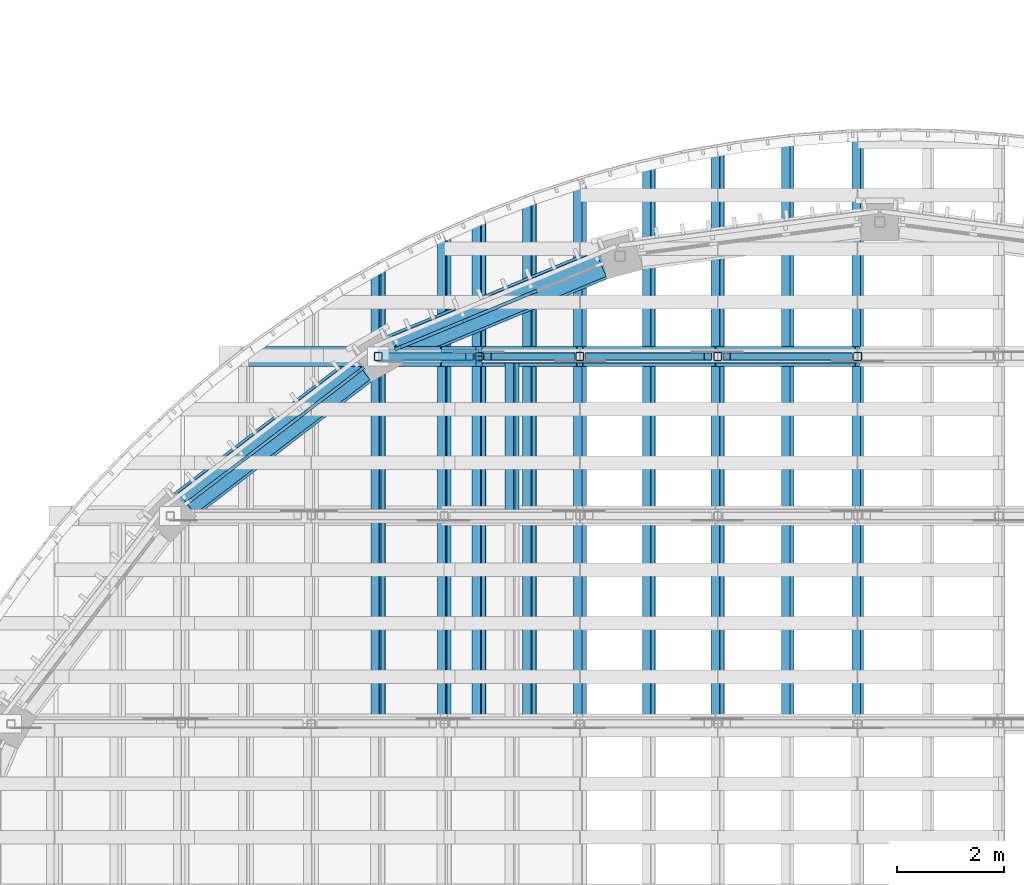
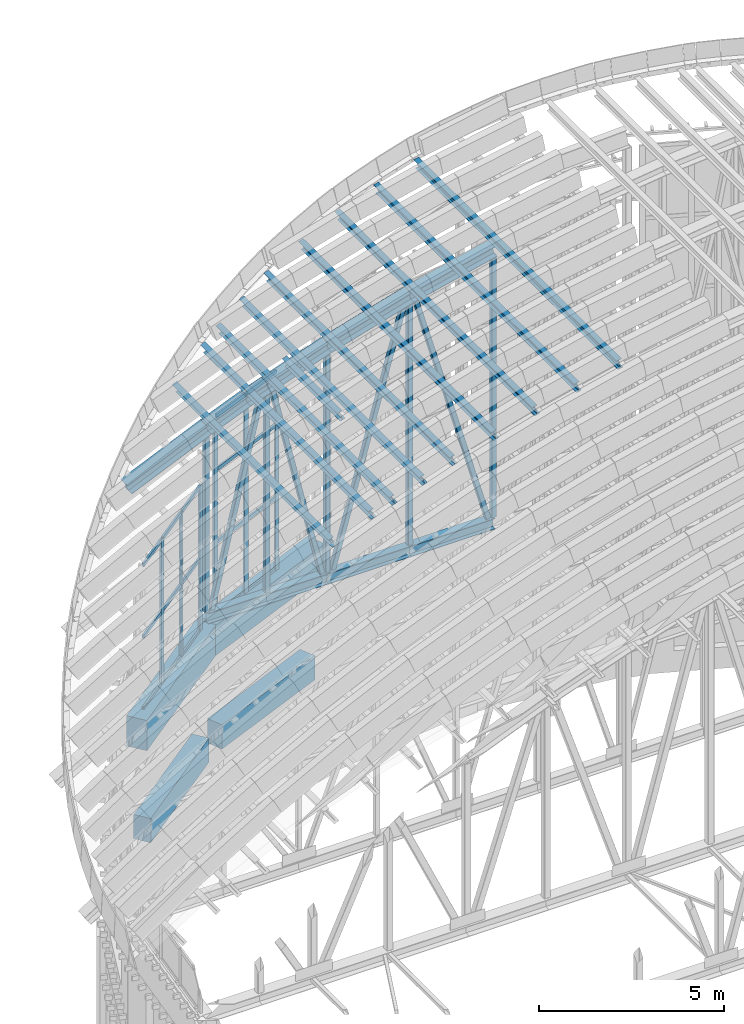
# One storey, part 32 of 105: 52 members, 4 beams, 2 elements without a shape of their own.
"""IFC4 building model written with IfcOpenShell, lengths in metres."""

from ifc_helpers import new_model, si_unit, direction, frame, origin, origin_2d, place, context, subcontext, project, spatial, rectangle, hollow_rectangle, i_section, extrude, material, layer, layer_set, material_profile, profile_set, type_object, element, aggregate, save


model = new_model("IFC4")

# Units and contexts
model_context = context("Model", 3, precision=1e-05, world=origin(), true_north=direction((0.0, 1.0)))
body_context = subcontext(model_context, "Body", "Model", "MODEL_VIEW")
ifc_project = project(units=[si_unit("LENGTHUNIT", "METRE"), si_unit("AREAUNIT", "SQUARE_METRE"), si_unit("VOLUMEUNIT", "CUBIC_METRE"), si_unit("PLANEANGLEUNIT", "RADIAN"), si_unit("MASSUNIT", "GRAM", prefix="KILO")], contexts=[model_context])

# Site, building, storey
site_placement = place(None, origin())
site = spatial("IfcSite", under=ifc_project, at=site_placement, CompositionType="ELEMENT")
building_placement = place(site_placement, origin())
building = spatial("IfcBuilding", under=site, at=building_placement, Name="Wasatch Bagh Community Centre", CompositionType="ELEMENT")
storey_placement = place(building_placement, frame((0.0, 0.0, 16.800048828125)))
storey = spatial("IfcBuildingStorey", under=building, at=storey_placement, Name="L04", CompositionType="ELEMENT", Elevation=16.800048828125)

# Members
ifc_material_1 = material(Name="ASTM A500 Grade C steel", Category="steel")
ifc_material_profile_1 = material_profile(ifc_material_1, hollow_rectangle(XDim=0.15234375, YDim=0.15234375, WallThickness=0.0087890625, InnerFilletRadius=0.0087890625, OuterFilletRadius=0.017822265625, at=origin_2d()), Name="HSS6x6x3/8")
ifc_profile_set_1 = profile_set([ifc_material_profile_1], Name="ASTM A500 Grade C steel")
member_type_1 = type_object("IfcMemberType", Name="HSS6x6x3/8 brace", PredefinedType="BRACE", material=ifc_profile_set_1)
member_1_placement = place(storey_placement, frame((26.787841796875, 81.238037109375, 8.088623046875), z_axis=(0.231523294474, 0.0, 0.972829360225), x_axis=(0.0, 1.0, 0.0)))
element("IfcMember", 1, at=member_1_placement, inside=storey, type_object=member_type_1, Name="MH.TN4.WB01", PredefinedType="BRACE", context=body_context, shape_type="SweptSolid", body=[
    extrude(hollow_rectangle(XDim=0.15234375, YDim=0.15234375, WallThickness=0.0087890625, InnerFilletRadius=0.0087890625, OuterFilletRadius=0.017822265625, at=origin_2d()), origin(), (0.0, 0.0, 1.0), 6.676025390625),
])
member_2_placement = place(storey_placement, frame((30.23291015625, 81.238037109375, 8.08837890625), z_axis=(-0.228969594123, 0.0, 0.973433575015), x_axis=(0.0, -1.0, 0.0)))
element("IfcMember", 2, at=member_2_placement, inside=storey, type_object=member_type_1, Name="MH.TN4.WB02", PredefinedType="BRACE", context=body_context, shape_type="SweptSolid", body=[
    extrude(hollow_rectangle(XDim=0.15234375, YDim=0.15234375, WallThickness=0.0087890625, InnerFilletRadius=0.0087890625, OuterFilletRadius=0.017822265625, at=origin_2d()), origin(), (0.0, 0.0, 1.0), 6.829345703125),
])
member_3_placement = place(storey_placement, frame((30.5673828125, 81.238037109375, 8.091552734375), z_axis=(0.269835842543, 0.0, 0.962906339204), x_axis=(0.0, 1.0, 0.0)))
element("IfcMember", 3, at=member_3_placement, inside=storey, type_object=member_type_1, Name="MH.TN4.WB03", PredefinedType="BRACE", context=body_context, shape_type="SweptSolid", body=[
    extrude(hollow_rectangle(XDim=0.15234375, YDim=0.15234375, WallThickness=0.0087890625, InnerFilletRadius=0.0087890625, OuterFilletRadius=0.017822265625, at=origin_2d()), origin(), (0.0, 0.0, 1.0), 8.223388671875),
])
member_4_placement = place(storey_placement, frame((35.412353515625, 81.238037109375, 8.091796875), z_axis=(-0.271729705992, 0.0, 0.962373610861), x_axis=(0.0, -1.0, 0.0)))
element("IfcMember", 4, at=member_4_placement, inside=storey, type_object=member_type_1, Name="MH.TN4.WB04", PredefinedType="BRACE", context=body_context, shape_type="SweptSolid", body=[
    extrude(hollow_rectangle(XDim=0.15234375, YDim=0.15234375, WallThickness=0.0087890625, InnerFilletRadius=0.0087890625, OuterFilletRadius=0.017822265625, at=origin_2d()), origin(), (0.0, 0.0, 1.0), 8.368408203125),
])
ifc_material_profile_2 = material_profile(ifc_material_1, hollow_rectangle(XDim=0.15234375, YDim=0.15234375, WallThickness=0.0087890625, InnerFilletRadius=0.0087890625, OuterFilletRadius=0.017822265625, at=origin_2d()), Name="HSS6x6x3/8")
ifc_profile_set_2 = profile_set([ifc_material_profile_2], Name="ASTM A500 Grade C steel")
member_type_2 = type_object("IfcMemberType", Name="HSS6x6x3/8 post", PredefinedType="POST", material=ifc_profile_set_2)
member_5_placement = place(storey_placement, frame((26.625, 81.238037109375, 8.070556640625), z_axis=(0.0, 0.0, 1.0), x_axis=(1.0, 0.0, 0.0)))
element("IfcMember", 5, at=member_5_placement, inside=storey, type_object=member_type_2, Name="MH.TN4.PS01", PredefinedType="POST", context=body_context, shape_type="SweptSolid", body=[
    extrude(hollow_rectangle(XDim=0.15234375, YDim=0.15234375, WallThickness=0.0087890625, InnerFilletRadius=0.0087890625, OuterFilletRadius=0.017822265625, at=origin_2d()), origin(), (0.0, 0.0, 1.0), 5.843994140625),
])
member_6_placement = place(storey_placement, frame((28.510009765625, 81.238037109375, 8.070556640625), z_axis=(0.0, 0.0, 1.0), x_axis=(1.0, 0.0, 0.0)))
element("IfcMember", 6, at=member_6_placement, inside=storey, type_object=member_type_2, Name="MH.TN4.PS02", PredefinedType="POST", context=body_context, shape_type="SweptSolid", body=[
    extrude(hollow_rectangle(XDim=0.15234375, YDim=0.15234375, WallThickness=0.0087890625, InnerFilletRadius=0.0087890625, OuterFilletRadius=0.017822265625, at=origin_2d()), origin(), (0.0, 0.0, 1.0), 6.591552734375),
])
member_7_placement = place(storey_placement, frame((30.39501953125, 81.238037109375, 8.070556640625), z_axis=(0.0, 0.0, 1.0), x_axis=(1.0, 0.0, 0.0)))
element("IfcMember", 7, at=member_7_placement, inside=storey, type_object=member_type_2, Name="MH.TN4.PS03", PredefinedType="POST", context=body_context, shape_type="SweptSolid", body=[
    extrude(hollow_rectangle(XDim=0.15234375, YDim=0.15234375, WallThickness=0.0087890625, InnerFilletRadius=0.0087890625, OuterFilletRadius=0.017822265625, at=origin_2d()), origin(), (0.0, 0.0, 1.0), 7.251220703125),
])
member_8_placement = place(storey_placement, frame((32.972412109375, 81.238037109375, 8.070556640625), z_axis=(0.0, 0.0, 1.0), x_axis=(1.0, 0.0, 0.0)))
element("IfcMember", 8, at=member_8_placement, inside=storey, type_object=member_type_2, Name="MH.TN4.PS04", PredefinedType="POST", context=body_context, shape_type="SweptSolid", body=[
    extrude(hollow_rectangle(XDim=0.15234375, YDim=0.15234375, WallThickness=0.0087890625, InnerFilletRadius=0.0087890625, OuterFilletRadius=0.017822265625, at=origin_2d()), origin(), (0.0, 0.0, 1.0), 8.013671875),
])
member_9_placement = place(storey_placement, frame((35.585205078125, 81.238037109375, 8.070556640625), z_axis=(0.0, 0.0, 1.0), x_axis=(1.0, 0.0, 0.0)))
element("IfcMember", 9, at=member_9_placement, inside=storey, type_object=member_type_2, Name="MH.TN4.PS05", PredefinedType="POST", context=body_context, shape_type="SweptSolid", body=[
    extrude(hollow_rectangle(XDim=0.15234375, YDim=0.15234375, WallThickness=0.0087890625, InnerFilletRadius=0.0087890625, OuterFilletRadius=0.017822265625, at=origin_2d()), origin(), (0.0, 0.0, 1.0), 8.64111328125),
])

# Curtain wall, members
ifc_material_2 = material(Name="Aluminium curtain wall frame with low-iron glass", Category="aluminium")
ifc_layer_1 = layer(ifc_material_2, 0.10009765625)
ifc_layer_set_1 = layer_set([ifc_layer_1], Name="Aluminium curtain wall frame with low-iron glass")
curtain_wall_type_1 = type_object("IfcCurtainWallType", Name="MH end screen curtain wall 5", PredefinedType="NOTDEFINED", material=ifc_layer_set_1)
curtain_wall_1_placement = place(storey_placement, origin())
curtain_wall_1 = element("IfcCurtainWall", 10, at=curtain_wall_1_placement, inside=storey, type_object=curtain_wall_type_1, Name="End screen 26", PredefinedType="NOTDEFINED")
ifc_material_3 = material(Name="Aluminium extrusion", Category="aluminium")
ifc_material_profile_3 = material_profile(ifc_material_3, rectangle(XDim=0.06005859375, YDim=0.159912109375, at=origin_2d()), Name="AL 60x160")
ifc_profile_set_3 = profile_set([ifc_material_profile_3], Name="Aluminium extrusion")
member_type_3 = type_object("IfcMemberType", Name="MH end screen mullion 60x160", PredefinedType="MULLION", material=ifc_profile_set_3)
member_10_placement = place(storey_placement, frame((29.520751953125, 82.4375, 7.699951171875), z_axis=(0.0, 0.0, 1.0), x_axis=(0.382683432188, -0.923879532585, 0.0)))
member_10 = element("IfcMember", 11, at=member_10_placement, type_object=member_type_3, Name="MH-CW5 mullion 2", PredefinedType="MULLION", context=body_context, shape_type="SweptSolid", body=[
    extrude(rectangle(XDim=0.06005859375, YDim=0.159912109375, at=origin_2d()), origin(), (0.0, 0.0, 1.0), 6.60009765625),
])
member_11_placement = place(storey_placement, frame((28.25146484375, 81.91162109375, 7.699951171875), z_axis=(0.0, 0.0, 1.0), x_axis=(0.382683432188, -0.923879532585, 0.0)))
member_11 = element("IfcMember", 12, at=member_11_placement, type_object=member_type_3, Name="MH-CW5 mullion 3", PredefinedType="MULLION", context=body_context, shape_type="SweptSolid", body=[
    extrude(rectangle(XDim=0.06005859375, YDim=0.159912109375, at=origin_2d()), origin(), (0.0, 0.0, 1.0), 6.60009765625),
])
member_12_placement = place(storey_placement, frame((27.009765625, 81.397216796875, 7.699951171875), z_axis=(0.0, 0.0, 1.0), x_axis=(0.382683432188, -0.923879532585, 0.0)))
member_12 = element("IfcMember", 13, at=member_12_placement, type_object=member_type_3, Name="MH-CW5 mullion 4", PredefinedType="MULLION", context=body_context, shape_type="SweptSolid", body=[
    extrude(rectangle(XDim=0.06005859375, YDim=0.159912109375, at=origin_2d()), origin(), (0.0, 0.0, 1.0), 6.60009765625),
])

ifc_layer_2 = layer(ifc_material_2, 0.10009765625)
ifc_layer_set_2 = layer_set([ifc_layer_2], Name="Aluminium curtain wall frame with low-iron glass")
curtain_wall_type_2 = type_object("IfcCurtainWallType", Name="MH end screen curtain wall 4", PredefinedType="NOTDEFINED", material=ifc_layer_set_2)
curtain_wall_2_placement = place(storey_placement, origin())
curtain_wall_2 = element("IfcCurtainWall", 14, at=curtain_wall_2_placement, inside=storey, type_object=curtain_wall_type_2, Name="End screen 27", PredefinedType="NOTDEFINED")
member_13_placement = place(storey_placement, frame((26.294677734375, 80.984375, 7.699951171875), z_axis=(0.0, 0.0, 1.0), x_axis=(0.608761429036, -0.79335334027, 0.0)))
member_13 = element("IfcMember", 15, at=member_13_placement, type_object=member_type_3, Name="MH-CW4 mullion 1", PredefinedType="MULLION", context=body_context, shape_type="SweptSolid", body=[
    extrude(rectangle(XDim=0.06005859375, YDim=0.159912109375, at=origin_2d()), origin(), (0.0, 0.0, 1.0), 4.800048828125),
])
member_14_placement = place(storey_placement, frame((25.228271484375, 80.166259765625, 7.699951171875), z_axis=(0.0, 0.0, 1.0), x_axis=(0.608761429036, -0.79335334027, 0.0)))
member_14 = element("IfcMember", 16, at=member_14_placement, type_object=member_type_3, Name="MH-CW4 mullion 2", PredefinedType="MULLION", context=body_context, shape_type="SweptSolid", body=[
    extrude(rectangle(XDim=0.06005859375, YDim=0.159912109375, at=origin_2d()), origin(), (0.0, 0.0, 1.0), 4.800048828125),
])
member_15_placement = place(storey_placement, frame((24.138427734375, 79.329833984375, 7.699951171875), z_axis=(0.0, 0.0, 1.0), x_axis=(0.608761429036, -0.79335334027, 0.0)))
member_15 = element("IfcMember", 17, at=member_15_placement, type_object=member_type_3, Name="MH-CW4 mullion 3", PredefinedType="MULLION", context=body_context, shape_type="SweptSolid", body=[
    extrude(rectangle(XDim=0.06005859375, YDim=0.159912109375, at=origin_2d()), origin(), (0.0, 0.0, 1.0), 4.800048828125),
])

# Member
ifc_material_profile_4 = material_profile(ifc_material_3, rectangle(XDim=0.06005859375, YDim=0.1201171875, at=origin_2d()), Name="AL 60x120")
ifc_profile_set_4 = profile_set([ifc_material_profile_4], Name="Aluminium extrusion")
member_type_4 = type_object("IfcMemberType", Name="MH end screen transom 60x120", PredefinedType="USERDEFINED", material=ifc_profile_set_4)
member_16_placement = place(storey_placement, frame((29.492919921875, 82.426025390625, 7.72998046875), z_axis=(-0.923844700065, -0.382767514508, 0.0), x_axis=(0.382767514508, -0.923844700065, 0.0)))
member_16 = element("IfcMember", 18, at=member_16_placement, type_object=member_type_4, Name="MH-CW5 transom 2.1", ObjectType="TRANSOM", PredefinedType="USERDEFINED", context=body_context, shape_type="SweptSolid", body=[
    extrude(rectangle(XDim=0.06005859375, YDim=0.1201171875, at=origin_2d()), origin(), (0.0, 0.0, 1.0), 1.31396484375),
])

member_17_placement = place(storey_placement, frame((29.492919921875, 82.426025390625, 10.099853515625), z_axis=(-0.923844700065, -0.382767514508, 0.0), x_axis=(0.382767514508, -0.923844700065, 0.0)))
member_17 = element("IfcMember", 19, at=member_17_placement, type_object=member_type_4, Name="MH-CW5 transom 2.2", ObjectType="TRANSOM", PredefinedType="USERDEFINED", context=body_context, shape_type="SweptSolid", body=[
    extrude(rectangle(XDim=0.06005859375, YDim=0.1201171875, at=origin_2d()), origin(), (0.0, 0.0, 1.0), 1.31396484375),
])

member_18_placement = place(storey_placement, frame((29.492919921875, 82.426025390625, 12.5), z_axis=(-0.923844700065, -0.382767514508, 0.0), x_axis=(0.382767514508, -0.923844700065, 0.0)))
member_18 = element("IfcMember", 20, at=member_18_placement, type_object=member_type_4, Name="MH-CW5 transom 2.3", ObjectType="TRANSOM", PredefinedType="USERDEFINED", context=body_context, shape_type="SweptSolid", body=[
    extrude(rectangle(XDim=0.06005859375, YDim=0.1201171875, at=origin_2d()), origin(), (0.0, 0.0, 1.0), 1.31396484375),
])

member_19_placement = place(storey_placement, frame((29.492919921875, 82.426025390625, 14.27001953125), z_axis=(-0.923844700065, -0.382767514508, 0.0), x_axis=(0.382767514508, -0.923844700065, 0.0)))
member_19 = element("IfcMember", 21, at=member_19_placement, type_object=member_type_4, Name="MH-CW5 transom 2.4", ObjectType="TRANSOM", PredefinedType="USERDEFINED", context=body_context, shape_type="SweptSolid", body=[
    extrude(rectangle(XDim=0.06005859375, YDim=0.1201171875, at=origin_2d()), origin(), (0.0, 0.0, 1.0), 1.31396484375),
])

member_20_placement = place(storey_placement, frame((28.2236328125, 81.900146484375, 7.72998046875), z_axis=(-0.923924144834, -0.382575710929, 0.0), x_axis=(0.382575710929, -0.923924144834, 0.0)))
member_20 = element("IfcMember", 22, at=member_20_placement, type_object=member_type_4, Name="MH-CW5 transom 3.1", ObjectType="TRANSOM", PredefinedType="USERDEFINED", context=body_context, shape_type="SweptSolid", body=[
    extrude(rectangle(XDim=0.06005859375, YDim=0.1201171875, at=origin_2d()), origin(), (0.0, 0.0, 1.0), 1.283935546875),
])

member_21_placement = place(storey_placement, frame((28.2236328125, 81.900146484375, 10.099853515625), z_axis=(-0.923924144834, -0.382575710929, 0.0), x_axis=(0.382575710929, -0.923924144834, 0.0)))
member_21 = element("IfcMember", 23, at=member_21_placement, type_object=member_type_4, Name="MH-CW5 transom 3.2", ObjectType="TRANSOM", PredefinedType="USERDEFINED", context=body_context, shape_type="SweptSolid", body=[
    extrude(rectangle(XDim=0.06005859375, YDim=0.1201171875, at=origin_2d()), origin(), (0.0, 0.0, 1.0), 1.283935546875),
])

member_22_placement = place(storey_placement, frame((28.2236328125, 81.900146484375, 12.5), z_axis=(-0.923924144834, -0.382575710929, 0.0), x_axis=(0.382575710929, -0.923924144834, 0.0)))
member_22 = element("IfcMember", 24, at=member_22_placement, type_object=member_type_4, Name="MH-CW5 transom 3.3", ObjectType="TRANSOM", PredefinedType="USERDEFINED", context=body_context, shape_type="SweptSolid", body=[
    extrude(rectangle(XDim=0.06005859375, YDim=0.1201171875, at=origin_2d()), origin(), (0.0, 0.0, 1.0), 1.283935546875),
])

member_23_placement = place(storey_placement, frame((28.2236328125, 81.900146484375, 14.27001953125), z_axis=(-0.923924144834, -0.382575710929, 0.0), x_axis=(0.382575710929, -0.923924144834, 0.0)))
member_23 = element("IfcMember", 25, at=member_23_placement, type_object=member_type_4, Name="MH-CW5 transom 3.4", ObjectType="TRANSOM", PredefinedType="USERDEFINED", context=body_context, shape_type="SweptSolid", body=[
    extrude(rectangle(XDim=0.06005859375, YDim=0.1201171875, at=origin_2d()), origin(), (0.0, 0.0, 1.0), 1.283935546875),
])

aggregate(curtain_wall_1, [member_10, member_11, member_12, member_16, member_17, member_18, member_19, member_20, member_21, member_22, member_23])

member_24_placement = place(storey_placement, frame((26.270751953125, 80.96630859375, 7.72998046875), z_axis=(-0.793287968186, -0.608846614125, 0.0), x_axis=(0.608846614125, -0.793287968186, 0.0)))
member_24 = element("IfcMember", 26, at=member_24_placement, type_object=member_type_4, Name="MH-CW4 transom 1.1", ObjectType="TRANSOM", PredefinedType="USERDEFINED", context=body_context, shape_type="SweptSolid", body=[
    extrude(rectangle(XDim=0.06005859375, YDim=0.1201171875, at=origin_2d()), origin(), (0.0, 0.0, 1.0), 1.283935546875),
])

member_25_placement = place(storey_placement, frame((26.270751953125, 80.96630859375, 10.099853515625), z_axis=(-0.793287968186, -0.608846614125, 0.0), x_axis=(0.608846614125, -0.793287968186, 0.0)))
member_25 = element("IfcMember", 27, at=member_25_placement, type_object=member_type_4, Name="MH-CW4 transom 1.2", ObjectType="TRANSOM", PredefinedType="USERDEFINED", context=body_context, shape_type="SweptSolid", body=[
    extrude(rectangle(XDim=0.06005859375, YDim=0.1201171875, at=origin_2d()), origin(), (0.0, 0.0, 1.0), 1.283935546875),
])

member_26_placement = place(storey_placement, frame((26.270751953125, 80.96630859375, 12.469970703125), z_axis=(-0.793287968186, -0.608846614125, 0.0), x_axis=(0.608846614125, -0.793287968186, 0.0)))
member_26 = element("IfcMember", 28, at=member_26_placement, type_object=member_type_4, Name="MH-CW4 transom 1.3", ObjectType="TRANSOM", PredefinedType="USERDEFINED", context=body_context, shape_type="SweptSolid", body=[
    extrude(rectangle(XDim=0.06005859375, YDim=0.1201171875, at=origin_2d()), origin(), (0.0, 0.0, 1.0), 1.283935546875),
])

member_27_placement = place(storey_placement, frame((25.20458984375, 80.14794921875, 7.72998046875), z_axis=(-0.793396972345, -0.608704562389, 0.0), x_axis=(0.608704562389, -0.793396972345, 0.0)))
member_27 = element("IfcMember", 29, at=member_27_placement, type_object=member_type_4, Name="MH-CW4 transom 2.1", ObjectType="TRANSOM", PredefinedType="USERDEFINED", context=body_context, shape_type="SweptSolid", body=[
    extrude(rectangle(XDim=0.06005859375, YDim=0.1201171875, at=origin_2d()), origin(), (0.0, 0.0, 1.0), 1.31396484375),
])

member_28_placement = place(storey_placement, frame((25.20458984375, 80.14794921875, 10.099853515625), z_axis=(-0.793396972345, -0.608704562389, 0.0), x_axis=(0.608704562389, -0.793396972345, 0.0)))
member_28 = element("IfcMember", 30, at=member_28_placement, type_object=member_type_4, Name="MH-CW4 transom 2.2", ObjectType="TRANSOM", PredefinedType="USERDEFINED", context=body_context, shape_type="SweptSolid", body=[
    extrude(rectangle(XDim=0.06005859375, YDim=0.1201171875, at=origin_2d()), origin(), (0.0, 0.0, 1.0), 1.31396484375),
])

member_29_placement = place(storey_placement, frame((25.20458984375, 80.14794921875, 12.469970703125), z_axis=(-0.793396972345, -0.608704562389, 0.0), x_axis=(0.608704562389, -0.793396972345, 0.0)))
member_29 = element("IfcMember", 31, at=member_29_placement, type_object=member_type_4, Name="MH-CW4 transom 2.3", ObjectType="TRANSOM", PredefinedType="USERDEFINED", context=body_context, shape_type="SweptSolid", body=[
    extrude(rectangle(XDim=0.06005859375, YDim=0.1201171875, at=origin_2d()), origin(), (0.0, 0.0, 1.0), 1.31396484375),
])

member_30_placement = place(storey_placement, frame((24.114501953125, 79.311767578125, 7.72998046875), z_axis=(-0.793287968186, -0.608846614125, 0.0), x_axis=(0.608846614125, -0.793287968186, 0.0)))
member_30 = element("IfcMember", 32, at=member_30_placement, type_object=member_type_4, Name="MH-CW4 transom 3.1", ObjectType="TRANSOM", PredefinedType="USERDEFINED", context=body_context, shape_type="SweptSolid", body=[
    extrude(rectangle(XDim=0.06005859375, YDim=0.1201171875, at=origin_2d()), origin(), (0.0, 0.0, 1.0), 1.283935546875),
])

member_31_placement = place(storey_placement, frame((24.114501953125, 79.311767578125, 10.099853515625), z_axis=(-0.793287968186, -0.608846614125, 0.0), x_axis=(0.608846614125, -0.793287968186, 0.0)))
member_31 = element("IfcMember", 33, at=member_31_placement, type_object=member_type_4, Name="MH-CW4 transom 3.2", ObjectType="TRANSOM", PredefinedType="USERDEFINED", context=body_context, shape_type="SweptSolid", body=[
    extrude(rectangle(XDim=0.06005859375, YDim=0.1201171875, at=origin_2d()), origin(), (0.0, 0.0, 1.0), 1.283935546875),
])

member_32_placement = place(storey_placement, frame((24.114501953125, 79.311767578125, 12.469970703125), z_axis=(-0.793287968186, -0.608846614125, 0.0), x_axis=(0.608846614125, -0.793287968186, 0.0)))
member_32 = element("IfcMember", 34, at=member_32_placement, type_object=member_type_4, Name="MH-CW4 transom 3.3", ObjectType="TRANSOM", PredefinedType="USERDEFINED", context=body_context, shape_type="SweptSolid", body=[
    extrude(rectangle(XDim=0.06005859375, YDim=0.1201171875, at=origin_2d()), origin(), (0.0, 0.0, 1.0), 1.283935546875),
])

aggregate(curtain_wall_2, [member_13, member_14, member_15, member_24, member_25, member_26, member_27, member_28, member_29, member_30, member_31, member_32])

# Beams
ifc_material_4 = material(Name="Concrete C35", Category="concrete")
ifc_material_profile_5 = material_profile(ifc_material_4, rectangle(XDim=0.5, YDim=0.800048828125, at=origin_2d()), Name="RC 500x800")
ifc_profile_set_5 = profile_set([ifc_material_profile_5], Name="Concrete C35")
beam_type_1 = type_object("IfcBeamType", Name="MH ring beam RC 500x800", PredefinedType="BEAM", material=ifc_profile_set_5)
for number, where, z_axis, x_axis, name in (
    (35, (30.7900390625, 82.963134765625, 3.800048828125), (-0.923877504262, -0.382688328955, 0.0), (0.382688328955, -0.923877504262, 0.0), "Ring beam 21.0 N7-N8"),
    (36, (26.318359375, 81.002685546875, 3.800048828125), (-0.793341258985, -0.60877717335, 0.0), (0.60877717335, -0.793341258985, 0.0), "Ring beam 21.0 N8-N9"),
):
    element("IfcBeam", number, at=place(storey_placement, frame(where, z_axis=z_axis, x_axis=x_axis)), inside=storey, type_object=beam_type_1, Name=name, PredefinedType="BEAM", context=body_context, shape_type="SweptSolid", body=[
        extrude(rectangle(XDim=0.5, YDim=0.800048828125, at=origin_2d()), origin(), (0.0, 0.0, 1.0), 4.121826171875),
    ])
ifc_material_profile_6 = material_profile(ifc_material_4, rectangle(XDim=0.60009765625, YDim=1.0, at=origin_2d()), Name="RC 600x1000")
ifc_profile_set_6 = profile_set([ifc_material_profile_6], Name="Concrete C35")
beam_type_2 = type_object("IfcBeamType", Name="MH ring beam RC 600x1000", PredefinedType="BEAM", material=ifc_profile_set_6)
for number, where, z_axis, x_axis, name in (
    (37, (31.147216796875, 83.111083984375, 7.199951171875), (-0.923887958328, -0.382663090012, 0.0), (0.382663090012, -0.923887958328, 0.0), "Ring beam 24.5 N7-N8"),
    (38, (26.625, 81.238037109375, 7.199951171875), (-0.793355823169, -0.608758193246, 0.0), (0.608758193246, -0.793355823169, 0.0), "Ring beam 24.5 N8-N9"),
):
    element("IfcBeam", number, at=place(storey_placement, frame(where, z_axis=z_axis, x_axis=x_axis)), inside=storey, type_object=beam_type_2, Name=name, PredefinedType="BEAM", context=body_context, shape_type="SweptSolid", body=[
        extrude(rectangle(XDim=0.60009765625, YDim=1.0, at=origin_2d()), origin(), (0.0, 0.0, 1.0), 4.894775390625),
    ])

# Members
ifc_material_5 = material(Name="ASTM A992 Grade 50 steel", Category="steel")
ifc_material_profile_7 = material_profile(ifc_material_5, i_section(OverallWidth=0.164794921875, OverallDepth=0.309814453125, WebThickness=0.005859375, FlangeThickness=0.009765625, at=origin_2d()), Name="W12x26")
ifc_profile_set_7 = profile_set([ifc_material_profile_7], Name="ASTM A992 Grade 50 steel")
member_type_5 = type_object("IfcMemberType", Name="W12x26 purlin", PredefinedType="PURLIN", material=ifc_profile_set_7)
member_33_placement = place(storey_placement, frame((29.12744140625, 78.25830078125, 15.44580078125), z_axis=(0.0, 1.0, 0.0), x_axis=(-0.944194315577, 0.0, -0.329388971326)))
element("IfcMember", 39, at=member_33_placement, inside=storey, type_object=member_type_5, Name="MH.TN3-TN4.PU05", PredefinedType="PURLIN", context=body_context, shape_type="SweptSolid", body=[
    extrude(i_section(OverallWidth=0.164794921875, OverallDepth=0.309814453125, WebThickness=0.005859375, FlangeThickness=0.009765625, at=origin_2d()), origin(), (0.0, 0.0, 1.0), 2.979736328125),
])
ifc_material_profile_8 = material_profile(ifc_material_5, i_section(OverallWidth=0.164794921875, OverallDepth=0.309814453125, WebThickness=0.005859375, FlangeThickness=0.009765625, at=origin_2d()), Name="W12x26")
ifc_profile_set_8 = profile_set([ifc_material_profile_8], Name="ASTM A992 Grade 50 steel")
member_type_6 = type_object("IfcMemberType", Name="W12x26 rafter", PredefinedType="RAFTER", material=ifc_profile_set_8)
member_34_placement = place(storey_placement, frame((26.625, 82.8486328125, 14.502685546875), z_axis=(0.0, -1.0, 0.0), x_axis=(0.925933778961, 0.0, 0.377685897247)))
element("IfcMember", 40, at=member_34_placement, inside=storey, type_object=member_type_6, Name="MH.TN.RF02", PredefinedType="RAFTER", context=body_context, shape_type="SweptSolid", body=[
    extrude(i_section(OverallWidth=0.164794921875, OverallDepth=0.309814453125, WebThickness=0.005859375, FlangeThickness=0.009765625, at=origin_2d()), origin(), (0.0, 0.0, 1.0), 8.4736328125),
])
member_35_placement = place(storey_placement, frame((27.85986328125, 83.471435546875, 15.002197265625), z_axis=(0.0, -1.0, 0.0), x_axis=(0.944194312743, 0.0, 0.32938897945)))
element("IfcMember", 41, at=member_35_placement, inside=storey, type_object=member_type_6, Name="MH.TN.RF03", PredefinedType="RAFTER", context=body_context, shape_type="SweptSolid", body=[
    extrude(i_section(OverallWidth=0.164794921875, OverallDepth=0.309814453125, WebThickness=0.005859375, FlangeThickness=0.009765625, at=origin_2d()), origin(), (0.0, 0.0, 1.0), 9.096435546875),
])
member_36_placement = place(storey_placement, frame((28.510009765625, 83.75830078125, 15.22998046875), z_axis=(0.0, -1.0, 0.0), x_axis=(0.944194312743, 0.0, 0.32938897945)))
element("IfcMember", 42, at=member_36_placement, inside=storey, type_object=member_type_6, Name="MH.TN.RF04", PredefinedType="RAFTER", context=body_context, shape_type="SweptSolid", body=[
    extrude(i_section(OverallWidth=0.164794921875, OverallDepth=0.309814453125, WebThickness=0.005859375, FlangeThickness=0.009765625, at=origin_2d()), origin(), (0.0, 0.0, 1.0), 9.38330078125),
])
member_37_placement = place(storey_placement, frame((29.45263671875, 84.12744140625, 15.558837890625), z_axis=(0.0, -1.0, 0.0), x_axis=(0.944194312743, 0.0, 0.32938897945)))
element("IfcMember", 43, at=member_37_placement, inside=storey, type_object=member_type_6, Name="MH.TN.RF05", PredefinedType="RAFTER", context=body_context, shape_type="SweptSolid", body=[
    extrude(i_section(OverallWidth=0.164794921875, OverallDepth=0.309814453125, WebThickness=0.005859375, FlangeThickness=0.009765625, at=origin_2d()), origin(), (0.0, 0.0, 1.0), 9.75244140625),
])
member_38_placement = place(storey_placement, frame((30.39501953125, 84.44384765625, 15.88330078125), z_axis=(0.0, -1.0, 0.0), x_axis=(0.959937587317, 0.0, 0.280213897686)))
element("IfcMember", 44, at=member_38_placement, inside=storey, type_object=member_type_6, Name="MH.TN.RF06", PredefinedType="RAFTER", context=body_context, shape_type="SweptSolid", body=[
    extrude(i_section(OverallWidth=0.164794921875, OverallDepth=0.309814453125, WebThickness=0.005859375, FlangeThickness=0.009765625, at=origin_2d()), origin(), (0.0, 0.0, 1.0), 10.06884765625),
])
member_39_placement = place(storey_placement, frame((31.683837890625, 84.7958984375, 16.260986328125), z_axis=(0.0, -1.0, 0.0), x_axis=(0.959937587317, 0.0, 0.280213897686)))
element("IfcMember", 45, at=member_39_placement, inside=storey, type_object=member_type_6, Name="MH.TN.RF07", PredefinedType="RAFTER", context=body_context, shape_type="SweptSolid", body=[
    extrude(i_section(OverallWidth=0.164794921875, OverallDepth=0.309814453125, WebThickness=0.005859375, FlangeThickness=0.009765625, at=origin_2d()), origin(), (0.0, 0.0, 1.0), 10.4208984375),
])
member_40_placement = place(storey_placement, frame((32.972412109375, 85.059326171875, 16.630859375), z_axis=(0.0, -1.0, 0.0), x_axis=(0.959937587317, 0.0, 0.280213897686)))
element("IfcMember", 46, at=member_40_placement, inside=storey, type_object=member_type_6, Name="MH.TN.RF08", PredefinedType="RAFTER", context=body_context, shape_type="SweptSolid", body=[
    extrude(i_section(OverallWidth=0.164794921875, OverallDepth=0.309814453125, WebThickness=0.005859375, FlangeThickness=0.009765625, at=origin_2d()), origin(), (0.0, 0.0, 1.0), 10.684326171875),
])
member_41_placement = place(storey_placement, frame((34.27880859375, 85.2392578125, 16.9443359375), z_axis=(0.0, -1.0, 0.0), x_axis=(0.973121630503, 0.0, 0.230291754623)))
element("IfcMember", 47, at=member_41_placement, inside=storey, type_object=member_type_6, Name="MH.TN.RF09", PredefinedType="RAFTER", context=body_context, shape_type="SweptSolid", body=[
    extrude(i_section(OverallWidth=0.164794921875, OverallDepth=0.309814453125, WebThickness=0.005859375, FlangeThickness=0.009765625, at=origin_2d()), origin(), (0.0, 0.0, 1.0), 10.8642578125),
])
member_42_placement = place(storey_placement, frame((35.585205078125, 85.333740234375, 17.249267578125), z_axis=(0.0, -1.0, 0.0), x_axis=(0.983711293114, 0.0, 0.179755644695)))
element("IfcMember", 48, at=member_42_placement, inside=storey, type_object=member_type_6, Name="MH.TN.RF10", PredefinedType="RAFTER", context=body_context, shape_type="SweptSolid", body=[
    extrude(i_section(OverallWidth=0.164794921875, OverallDepth=0.309814453125, WebThickness=0.005859375, FlangeThickness=0.009765625, at=origin_2d()), origin(), (0.0, 0.0, 1.0), 10.958740234375),
])
ifc_material_profile_9 = material_profile(ifc_material_5, i_section(OverallWidth=0.25390625, OverallDepth=0.355712890625, WebThickness=0.010498046875, FlangeThickness=0.018310546875, at=origin_2d()), Name="W14x68")
ifc_profile_set_9 = profile_set([ifc_material_profile_9], Name="ASTM A992 Grade 50 steel")
member_type_7 = type_object("IfcMemberType", Name="W14x68 chord", PredefinedType="CHORD", material=ifc_profile_set_9)
for number, where, z_axis, x_axis, name in (
    (49, (26.625, 81.238037109375, 7.892822265625), (1.0, 0.0, 0.0), (0.0, 1.0, 0.0), "MH.TN4.BC01"),
    (50, (28.510009765625, 81.238037109375, 7.892822265625), (1.0, 0.0, 0.0), (0.0, 1.0, 0.0), "MH.TN4.BC02"),
):
    element("IfcMember", number, at=place(storey_placement, frame(where, z_axis=z_axis, x_axis=x_axis)), inside=storey, type_object=member_type_7, Name=name, PredefinedType="CHORD", context=body_context, shape_type="SweptSolid", body=[
        extrude(i_section(OverallWidth=0.25390625, OverallDepth=0.355712890625, WebThickness=0.010498046875, FlangeThickness=0.018310546875, at=origin_2d()), origin(), (0.0, 0.0, 1.0), 1.885009765625),
    ])
member_43_placement = place(storey_placement, frame((30.39501953125, 81.238037109375, 7.892822265625), z_axis=(1.0, 0.0, 0.0), x_axis=(0.0, 1.0, 0.0)))
element("IfcMember", 51, at=member_43_placement, inside=storey, type_object=member_type_7, Name="MH.TN4.BC03", PredefinedType="CHORD", context=body_context, shape_type="SweptSolid", body=[
    extrude(i_section(OverallWidth=0.25390625, OverallDepth=0.355712890625, WebThickness=0.010498046875, FlangeThickness=0.018310546875, at=origin_2d()), origin(), (0.0, 0.0, 1.0), 2.577392578125),
])
member_44_placement = place(storey_placement, frame((32.972412109375, 81.238037109375, 7.892822265625), z_axis=(1.0, 0.0, 0.0), x_axis=(0.0, 1.0, 0.0)))
element("IfcMember", 52, at=member_44_placement, inside=storey, type_object=member_type_7, Name="MH.TN4.BC04", PredefinedType="CHORD", context=body_context, shape_type="SweptSolid", body=[
    extrude(i_section(OverallWidth=0.25390625, OverallDepth=0.355712890625, WebThickness=0.010498046875, FlangeThickness=0.018310546875, at=origin_2d()), origin(), (0.0, 0.0, 1.0), 2.61279296875),
])
ifc_material_profile_10 = material_profile(ifc_material_5, i_section(OverallWidth=0.368408203125, OverallDepth=0.355712890625, WebThickness=0.01123046875, FlangeThickness=0.01806640625, at=origin_2d()), Name="W14x90")
ifc_profile_set_10 = profile_set([ifc_material_profile_10], Name="ASTM A992 Grade 50 steel")
member_type_8 = type_object("IfcMemberType", Name="W14x90 chord", PredefinedType="CHORD", material=ifc_profile_set_10)
member_45_placement = place(storey_placement, frame((24.13427734375, 81.238037109375, 13.04931640625), z_axis=(0.915661773501, 0.0, 0.401949644294), x_axis=(0.0, 1.0, 0.0)))
element("IfcMember", 53, at=member_45_placement, inside=storey, type_object=member_type_8, Name="MH.TN4.TC01", PredefinedType="CHORD", context=body_context, shape_type="SweptSolid", body=[
    extrude(i_section(OverallWidth=0.368408203125, OverallDepth=0.355712890625, WebThickness=0.01123046875, FlangeThickness=0.01806640625, at=origin_2d()), origin(), (0.0, 0.0, 1.0), 2.717529296875),
])
member_46_placement = place(storey_placement, frame((26.62744140625, 81.238037109375, 14.143798828125), z_axis=(0.925180213064, 0.0, 0.379528092971), x_axis=(0.0, 1.0, 0.0)))
element("IfcMember", 54, at=member_46_placement, inside=storey, type_object=member_type_8, Name="MH.TN4.TC02", PredefinedType="CHORD", context=body_context, shape_type="SweptSolid", body=[
    extrude(i_section(OverallWidth=0.368408203125, OverallDepth=0.355712890625, WebThickness=0.01123046875, FlangeThickness=0.01806640625, at=origin_2d()), origin(), (0.0, 0.0, 1.0), 1.3271484375),
])
member_47_placement = place(storey_placement, frame((27.86474609375, 81.238037109375, 14.651123046875), z_axis=(0.943451080737, 0.0, 0.33151177695), x_axis=(0.0, 1.0, 0.0)))
element("IfcMember", 55, at=member_47_placement, inside=storey, type_object=member_type_8, Name="MH.TN4.TC03", PredefinedType="CHORD", context=body_context, shape_type="SweptSolid", body=[
    extrude(i_section(OverallWidth=0.368408203125, OverallDepth=0.355712890625, WebThickness=0.01123046875, FlangeThickness=0.01806640625, at=origin_2d()), origin(), (0.0, 0.0, 1.0), 0.683349609375),
])
member_48_placement = place(storey_placement, frame((28.5107421875, 81.238037109375, 14.878173828125), z_axis=(0.943908048023, 0.0, 0.330208414306), x_axis=(0.0, 1.0, 0.0)))
element("IfcMember", 56, at=member_48_placement, inside=storey, type_object=member_type_8, Name="MH.TN4.TC04", PredefinedType="CHORD", context=body_context, shape_type="SweptSolid", body=[
    extrude(i_section(OverallWidth=0.368408203125, OverallDepth=0.355712890625, WebThickness=0.01123046875, FlangeThickness=0.01806640625, at=origin_2d()), origin(), (0.0, 0.0, 1.0), 1.990966796875),
])
for number, where, z_axis, x_axis, name in (
    (57, (30.39990234375, 81.238037109375, 15.53857421875), (0.959642555684, 0.0, 0.281222625903), (0.0, 1.0, 0.0), "MH.TN4.TC05"),
    (58, (32.977294921875, 81.238037109375, 16.29345703125), (0.972941166496, 0.0, 0.231052995082), (0.0, 1.0, 0.0), "MH.TN4.TC06"),
):
    element("IfcMember", number, at=place(storey_placement, frame(where, z_axis=z_axis, x_axis=x_axis)), inside=storey, type_object=member_type_8, Name=name, PredefinedType="CHORD", context=body_context, shape_type="SweptSolid", body=[
        extrude(i_section(OverallWidth=0.368408203125, OverallDepth=0.355712890625, WebThickness=0.01123046875, FlangeThickness=0.01806640625, at=origin_2d()), origin(), (0.0, 0.0, 1.0), 2.675537109375),
    ])

save(model, "model.ifc")
